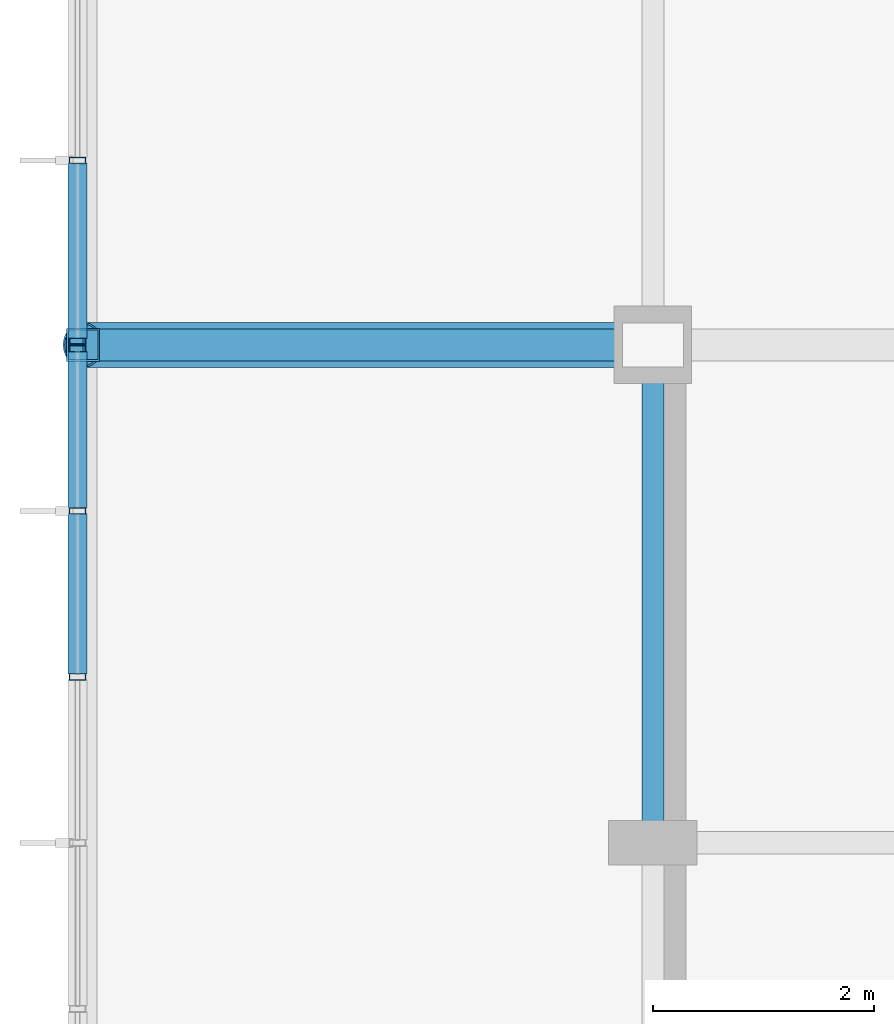
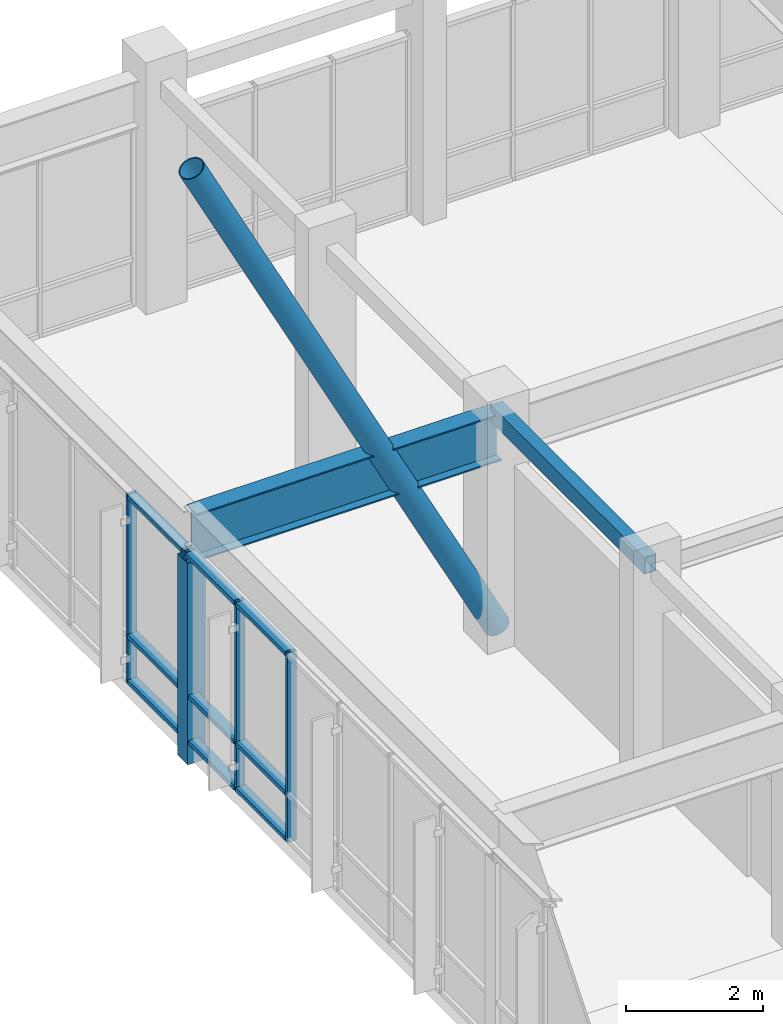
# One storey, part 20 of 55: 16 members, 2 beams, 2 elements without a shape of their own.
"""IFC4 building model written with IfcOpenShell, lengths in metres."""

from ifc_helpers import new_model, si_unit, direction, frame, origin, origin_2d, place, context, subcontext, project, spatial, hollow_rectangle, hollow_circle, i_section, extrude, material, layer, layer_set, material_profile, profile_set, type_object, element, aggregate, save


model = new_model("IFC4")

# Units and contexts
model_context = context("Model", 3, precision=1e-05, world=origin(), true_north=direction((0.0, 1.0)))
body_context = subcontext(model_context, "Body", "Model", "MODEL_VIEW")
ifc_project = project(units=[si_unit("LENGTHUNIT", "METRE"), si_unit("AREAUNIT", "SQUARE_METRE"), si_unit("VOLUMEUNIT", "CUBIC_METRE"), si_unit("PLANEANGLEUNIT", "RADIAN"), si_unit("MASSUNIT", "GRAM", prefix="KILO")], contexts=[model_context])

# Site, building, storey
site_placement = place(None, origin())
site = spatial("IfcSite", under=ifc_project, at=site_placement, CompositionType="ELEMENT")
building_placement = place(site_placement, origin())
building = spatial("IfcBuilding", under=site, at=building_placement, Name="Ventoquebrada Cableway Terminal", CompositionType="ELEMENT")
storey_placement = place(building_placement, frame((0.0, 0.0, 14.39990234375)))
storey = spatial("IfcBuildingStorey", under=building, at=storey_placement, Name="L03", CompositionType="ELEMENT", Elevation=14.39990234375)

# Beam
ifc_material_1 = material(Name="Steel ASTM A992 Grade 50", Category="steel")
ifc_material_profile_1 = material_profile(ifc_material_1, i_section(OverallWidth=0.2919921875, OverallDepth=0.845947265625, WebThickness=0.015380859375, FlangeThickness=0.0244140625, at=origin_2d()), Name="W33X141")
ifc_profile_set_1 = profile_set([ifc_material_profile_1], Name="Steel ASTM A992 Grade 50")
beam_type_1 = type_object("IfcBeamType", Name="BM-ST06", PredefinedType="BEAM", material=ifc_profile_set_1)
beam_1_placement = place(storey_placement, frame((3.050048828125, 104.0, 3.64208984375), z_axis=(1.0, 0.0, 0.0), x_axis=(0.0, 1.0, 0.0)))
element("IfcBeam", 1, at=beam_1_placement, inside=storey, type_object=beam_type_1, Name="Cantilever belvedere girder CB-013", PredefinedType="BEAM", context=body_context, shape_type="SweptSolid", body=[
    extrude(i_section(OverallWidth=0.2919921875, OverallDepth=0.845947265625, WebThickness=0.015380859375, FlangeThickness=0.0244140625, at=origin_2d()), origin(), (0.0, 0.0, 1.0), 5.14990234375),
])

# Curtain wall, members
ifc_material_2 = material(Name="Anodized thermally-broken aluminium", Category="aluminium")
ifc_layer_1 = layer(ifc_material_2, 0.159912109375)
ifc_layer_set_1 = layer_set([ifc_layer_1], Name="Anodized thermally-broken aluminium")
curtain_wall_type_1 = type_object("IfcCurtainWallType", Name="CW-T23", PredefinedType="USERDEFINED", material=ifc_layer_set_1)
curtain_wall_1_placement = place(storey_placement, origin())
curtain_wall_1 = element("IfcCurtainWall", 2, at=curtain_wall_1_placement, inside=storey, type_object=curtain_wall_type_1, Name="Unitised glazed curtain wall CW-058", ObjectType="UNITISED CURTAIN WALL", PredefinedType="USERDEFINED")
ifc_material_profile_2 = material_profile(ifc_material_2, hollow_rectangle(XDim=0.06005859375, YDim=0.14990234375, WallThickness=0.00390625, at=origin_2d()), Name="CW-MUL-60X150")
ifc_profile_set_2 = profile_set([ifc_material_profile_2], Name="Anodized thermally-broken aluminium")
member_type_1 = type_object("IfcMemberType", Name="CWM-03", PredefinedType="MULLION", material=ifc_profile_set_2)
member_1_placement = place(storey_placement, frame((3.0, 103.965087890625, -0.0078125), z_axis=(0.0, 0.0, 1.0), x_axis=(0.0, -1.0, 0.0)))
member_1 = element("IfcMember", 3, at=member_1_placement, type_object=member_type_1, Name="Curtain wall mullion FML-0262", PredefinedType="MULLION", context=body_context, shape_type="SweptSolid", body=[
    extrude(hollow_rectangle(XDim=0.06005859375, YDim=0.14990234375, WallThickness=0.00390625, at=origin_2d()), origin(), (0.0, 0.0, 1.0), 3.385009765625),
])
member_2_placement = place(storey_placement, frame((3.0, 102.5, -0.0078125), z_axis=(0.0, 0.0, 1.0), x_axis=(0.0, -1.0, 0.0)))
member_2 = element("IfcMember", 4, at=member_2_placement, type_object=member_type_1, Name="Curtain wall mullion FML-0263", PredefinedType="MULLION", context=body_context, shape_type="SweptSolid", body=[
    extrude(hollow_rectangle(XDim=0.06005859375, YDim=0.14990234375, WallThickness=0.00390625, at=origin_2d()), origin(), (0.0, 0.0, 1.0), 3.385009765625),
])
member_3_placement = place(storey_placement, frame((3.0, 101.0, -0.0078125), z_axis=(0.0, 0.0, 1.0), x_axis=(0.0, -1.0, 0.0)))
member_3 = element("IfcMember", 5, at=member_3_placement, type_object=member_type_1, Name="Curtain wall mullion FML-0264", PredefinedType="MULLION", context=body_context, shape_type="SweptSolid", body=[
    extrude(hollow_rectangle(XDim=0.06005859375, YDim=0.14990234375, WallThickness=0.00390625, at=origin_2d()), origin(), (0.0, 0.0, 1.0), 3.385009765625),
])

ifc_layer_2 = layer(ifc_material_2, 0.159912109375)
ifc_layer_set_2 = layer_set([ifc_layer_2], Name="Anodized thermally-broken aluminium")
curtain_wall_type_2 = type_object("IfcCurtainWallType", Name="CW-T24", PredefinedType="USERDEFINED", material=ifc_layer_set_2)
curtain_wall_2_placement = place(storey_placement, origin())
curtain_wall_2 = element("IfcCurtainWall", 6, at=curtain_wall_2_placement, inside=storey, type_object=curtain_wall_type_2, Name="Unitised glazed curtain wall CW-059", ObjectType="UNITISED CURTAIN WALL", PredefinedType="USERDEFINED")
member_4_placement = place(storey_placement, frame((3.0, 105.6669921875, -0.0078125), z_axis=(0.0, 0.0, 1.0), x_axis=(0.0, -1.0, 0.0)))
member_4 = element("IfcMember", 7, at=member_4_placement, type_object=member_type_1, Name="Curtain wall mullion FML-0274", PredefinedType="MULLION", context=body_context, shape_type="SweptSolid", body=[
    extrude(hollow_rectangle(XDim=0.06005859375, YDim=0.14990234375, WallThickness=0.00390625, at=origin_2d()), origin(), (0.0, 0.0, 1.0), 3.385009765625),
])
member_5_placement = place(storey_placement, frame((3.0, 104.034912109375, -0.0078125), z_axis=(0.0, 0.0, 1.0), x_axis=(0.0, -1.0, 0.0)))
member_5 = element("IfcMember", 8, at=member_5_placement, type_object=member_type_1, Name="Curtain wall mullion FML-0275", PredefinedType="MULLION", context=body_context, shape_type="SweptSolid", body=[
    extrude(hollow_rectangle(XDim=0.06005859375, YDim=0.14990234375, WallThickness=0.00390625, at=origin_2d()), origin(), (0.0, 0.0, 1.0), 3.385009765625),
])

# Member
ifc_material_profile_3 = material_profile(ifc_material_2, hollow_rectangle(XDim=0.074951171875, YDim=0.169921875, WallThickness=0.00439453125, at=origin_2d()), Name="CW-TRN-75X170")
ifc_profile_set_3 = profile_set([ifc_material_profile_3], Name="Anodized thermally-broken aluminium")
member_type_2 = type_object("IfcMemberType", Name="CWT-03", PredefinedType="USERDEFINED", material=ifc_profile_set_3)
member_6_placement = place(storey_placement, frame((3.0, 103.93994140625, 0.03515625), z_axis=(0.0, -1.0, 0.0), x_axis=(0.0, 0.0, 1.0)))
member_6 = element("IfcMember", 9, at=member_6_placement, type_object=member_type_2, Name="Curtain wall transom FTR-0774", ObjectType="TRANSOM", PredefinedType="USERDEFINED", context=body_context, shape_type="SweptSolid", body=[
    extrude(hollow_rectangle(XDim=0.074951171875, YDim=0.169921875, WallThickness=0.00439453125, at=origin_2d()), origin(), (0.0, 0.0, 1.0), 1.4150390625),
])

member_7_placement = place(storey_placement, frame((3.0, 103.93994140625, 0.85009765625), z_axis=(0.0, -1.0, 0.0), x_axis=(0.0, 0.0, 1.0)))
member_7 = element("IfcMember", 10, at=member_7_placement, type_object=member_type_2, Name="Curtain wall transom FTR-0775", ObjectType="TRANSOM", PredefinedType="USERDEFINED", context=body_context, shape_type="SweptSolid", body=[
    extrude(hollow_rectangle(XDim=0.074951171875, YDim=0.169921875, WallThickness=0.00439453125, at=origin_2d()), origin(), (0.0, 0.0, 1.0), 1.4150390625),
])

member_8_placement = place(storey_placement, frame((3.0, 103.93994140625, 3.337158203125), z_axis=(0.0, -1.0, 0.0), x_axis=(0.0, 0.0, 1.0)))
member_8 = element("IfcMember", 11, at=member_8_placement, type_object=member_type_2, Name="Curtain wall transom FTR-0776", ObjectType="TRANSOM", PredefinedType="USERDEFINED", context=body_context, shape_type="SweptSolid", body=[
    extrude(hollow_rectangle(XDim=0.074951171875, YDim=0.169921875, WallThickness=0.00439453125, at=origin_2d()), origin(), (0.0, 0.0, 1.0), 1.4150390625),
])

member_9_placement = place(storey_placement, frame((3.0, 102.47509765625, 0.03515625), z_axis=(0.0, -1.0, 0.0), x_axis=(0.0, 0.0, 1.0)))
member_9 = element("IfcMember", 12, at=member_9_placement, type_object=member_type_2, Name="Curtain wall transom FTR-0777", ObjectType="TRANSOM", PredefinedType="USERDEFINED", context=body_context, shape_type="SweptSolid", body=[
    extrude(hollow_rectangle(XDim=0.074951171875, YDim=0.169921875, WallThickness=0.00439453125, at=origin_2d()), origin(), (0.0, 0.0, 1.0), 1.4501953125),
])

member_10_placement = place(storey_placement, frame((3.0, 102.47509765625, 0.85009765625), z_axis=(0.0, -1.0, 0.0), x_axis=(0.0, 0.0, 1.0)))
member_10 = element("IfcMember", 13, at=member_10_placement, type_object=member_type_2, Name="Curtain wall transom FTR-0778", ObjectType="TRANSOM", PredefinedType="USERDEFINED", context=body_context, shape_type="SweptSolid", body=[
    extrude(hollow_rectangle(XDim=0.074951171875, YDim=0.169921875, WallThickness=0.00439453125, at=origin_2d()), origin(), (0.0, 0.0, 1.0), 1.4501953125),
])

member_11_placement = place(storey_placement, frame((3.0, 102.47509765625, 3.337158203125), z_axis=(0.0, -1.0, 0.0), x_axis=(0.0, 0.0, 1.0)))
member_11 = element("IfcMember", 14, at=member_11_placement, type_object=member_type_2, Name="Curtain wall transom FTR-0779", ObjectType="TRANSOM", PredefinedType="USERDEFINED", context=body_context, shape_type="SweptSolid", body=[
    extrude(hollow_rectangle(XDim=0.074951171875, YDim=0.169921875, WallThickness=0.00439453125, at=origin_2d()), origin(), (0.0, 0.0, 1.0), 1.4501953125),
])

aggregate(curtain_wall_1, [member_1, member_2, member_3, member_6, member_7, member_8, member_9, member_10, member_11])

member_12_placement = place(storey_placement, frame((3.0, 105.64208984375, 0.03515625), z_axis=(0.0, -1.0, 0.0), x_axis=(0.0, 0.0, 1.0)))
member_12 = element("IfcMember", 15, at=member_12_placement, type_object=member_type_2, Name="Curtain wall transom FTR-0807", ObjectType="TRANSOM", PredefinedType="USERDEFINED", context=body_context, shape_type="SweptSolid", body=[
    extrude(hollow_rectangle(XDim=0.074951171875, YDim=0.169921875, WallThickness=0.00439453125, at=origin_2d()), origin(), (0.0, 0.0, 1.0), 1.58203125),
])

member_13_placement = place(storey_placement, frame((3.0, 105.64208984375, 0.85009765625), z_axis=(0.0, -1.0, 0.0), x_axis=(0.0, 0.0, 1.0)))
member_13 = element("IfcMember", 16, at=member_13_placement, type_object=member_type_2, Name="Curtain wall transom FTR-0808", ObjectType="TRANSOM", PredefinedType="USERDEFINED", context=body_context, shape_type="SweptSolid", body=[
    extrude(hollow_rectangle(XDim=0.074951171875, YDim=0.169921875, WallThickness=0.00439453125, at=origin_2d()), origin(), (0.0, 0.0, 1.0), 1.58203125),
])

member_14_placement = place(storey_placement, frame((3.0, 105.64208984375, 3.337158203125), z_axis=(0.0, -1.0, 0.0), x_axis=(0.0, 0.0, 1.0)))
member_14 = element("IfcMember", 17, at=member_14_placement, type_object=member_type_2, Name="Curtain wall transom FTR-0809", ObjectType="TRANSOM", PredefinedType="USERDEFINED", context=body_context, shape_type="SweptSolid", body=[
    extrude(hollow_rectangle(XDim=0.074951171875, YDim=0.169921875, WallThickness=0.00439453125, at=origin_2d()), origin(), (0.0, 0.0, 1.0), 1.58203125),
])

aggregate(curtain_wall_2, [member_4, member_5, member_12, member_13, member_14])

ifc_material_3 = material(Name="Steel ASTM A500 Grade C", Category="steel")
ifc_material_profile_4 = material_profile(ifc_material_3, hollow_rectangle(XDim=0.300048828125, YDim=0.300048828125, WallThickness=0.01611328125, at=origin_2d()), Name="HSS300X300X16")
ifc_profile_set_4 = profile_set([ifc_material_profile_4], Name="Steel ASTM A500 Grade C")
member_type_3 = type_object("IfcMemberType", Name="PST-GS01", PredefinedType="STRUT", material=ifc_profile_set_4)
member_15_placement = place(storey_placement, frame((3.050048828125, 104.0, -0.35498046875), z_axis=(0.0, 0.0, 1.0), x_axis=(1.0, 0.0, 0.0)))
element("IfcMember", 18, at=member_15_placement, inside=storey, type_object=member_type_3, Name="Belvedere facade support post FPS-003", PredefinedType="STRUT", context=body_context, shape_type="SweptSolid", body=[
    extrude(hollow_rectangle(XDim=0.300048828125, YDim=0.300048828125, WallThickness=0.01611328125, at=origin_2d()), origin(), (0.0, 0.0, 1.0), 3.593994140625),
])

# Beam
ifc_material_profile_5 = material_profile(ifc_material_3, hollow_rectangle(XDim=0.199951171875, YDim=0.300048828125, WallThickness=0.012451171875, at=origin_2d()), Name="RHS300X200X12.5")
ifc_profile_set_5 = profile_set([ifc_material_profile_5], Name="Steel ASTM A500 Grade C")
beam_type_2 = type_object("IfcBeamType", Name="SP-ST02", PredefinedType="SPANDREL", material=ifc_profile_set_5)
beam_2_placement = place(storey_placement, frame((8.199951171875, 99.5, 4.01513671875), z_axis=(0.0, 1.0, 0.0), x_axis=(-1.0, 0.0, 0.0)))
element("IfcBeam", 19, at=beam_2_placement, inside=storey, type_object=beam_type_2, Name="Perimeter spandrel beam FBM-0512", PredefinedType="SPANDREL", context=body_context, shape_type="SweptSolid", body=[
    extrude(hollow_rectangle(XDim=0.199951171875, YDim=0.300048828125, WallThickness=0.012451171875, at=origin_2d()), origin(), (0.0, 0.0, 1.0), 4.5),
])

# Member
ifc_material_profile_6 = material_profile(ifc_material_3, hollow_circle(Radius=0.203125, WallThickness=0.01611328125, at=origin_2d()), Name="CHS406.4X16")
ifc_profile_set_6 = profile_set([ifc_material_profile_6], Name="Steel ASTM A500 Grade C")
member_type_4 = type_object("IfcMemberType", Name="STR-RK01", PredefinedType="STRUT", material=ifc_profile_set_6)
member_16_placement = place(storey_placement, frame((8.199951171875, 104.0, 0.2001953125), z_axis=(-0.459518329886, 0.0, 0.888168286137), x_axis=(0.0, -1.0, 0.0)))
element("IfcMember", 20, at=member_16_placement, inside=storey, type_object=member_type_4, Name="Cantilever steel raker strut RK-09", PredefinedType="STRUT", context=body_context, shape_type="SweptSolid", body=[
    extrude(hollow_circle(Radius=0.203125, WallThickness=0.01611328125, at=origin_2d()), origin(), (0.0, 0.0, 1.0), 11.207275390625),
])

save(model, "model.ifc")
